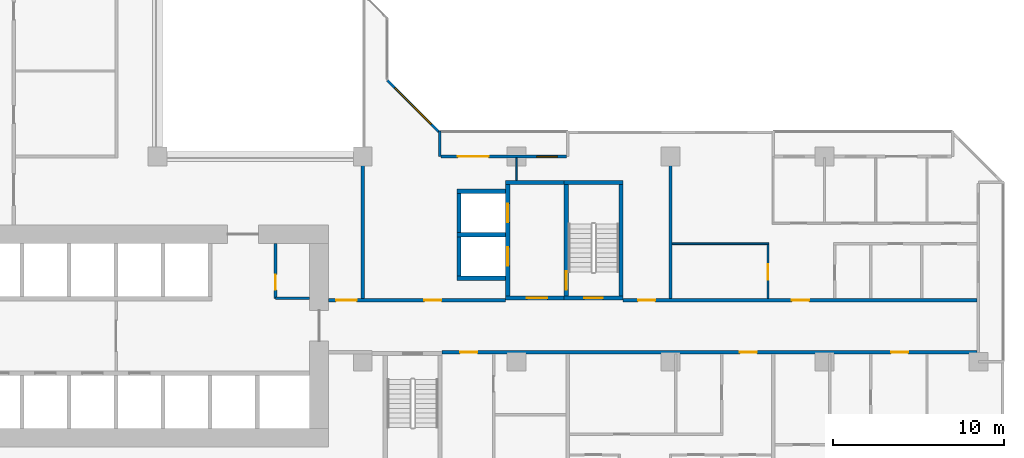
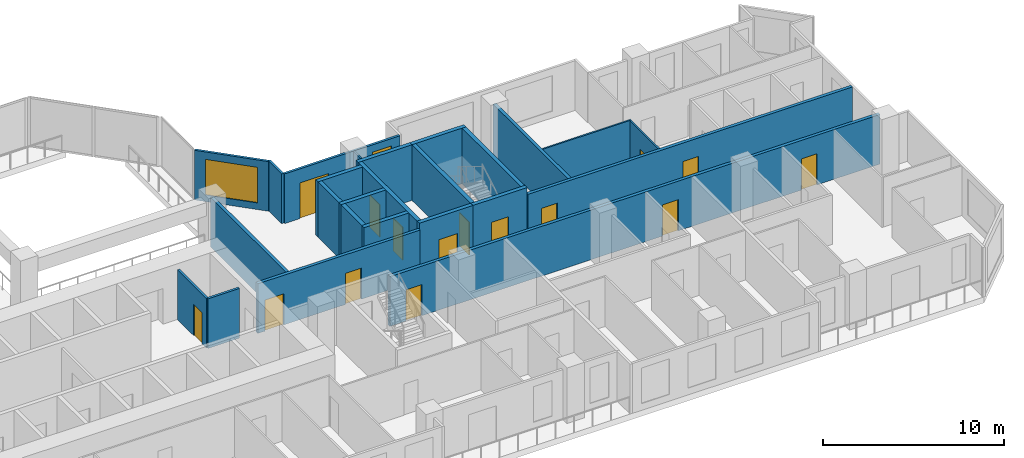
# One storey, part 7 of 15: 25 walls, 15 doors, 2 windows, 17 openings.
"""IFC4 building model written with IfcOpenShell, lengths in metres."""

from ifc_helpers import new_model, si_unit, direction, frame, frame_2d, origin, place, context, subcontext, project, spatial, rectangle, extrude, material, layer, layer_set, type_object, element, fill, save


model = new_model("IFC4")

# Units and contexts
model_context = context("Model", 3, precision=1e-05, world=origin(), true_north=direction((0.0, 1.0)))
body_context = subcontext(model_context, "Body", "Model", "MODEL_VIEW")
ifc_project = project(units=[si_unit("LENGTHUNIT", "METRE"), si_unit("AREAUNIT", "SQUARE_METRE"), si_unit("VOLUMEUNIT", "CUBIC_METRE"), si_unit("PLANEANGLEUNIT", "RADIAN"), si_unit("MASSUNIT", "GRAM", prefix="KILO")], contexts=[model_context])

# Site, building, storey
site_placement = place(None, origin())
site = spatial("IfcSite", under=ifc_project, at=site_placement, CompositionType="ELEMENT")
building_placement = place(site_placement, origin())
building = spatial("IfcBuilding", under=site, at=building_placement, Name="Chenar Terraces", CompositionType="ELEMENT")
storey_placement = place(building_placement, frame((0.0, 0.0, 45.14990234375)))
storey = spatial("IfcBuildingStorey", under=building, at=storey_placement, Name="L08", CompositionType="ELEMENT", Elevation=45.14990234375)

# Wall, opening, door
ifc_material_1 = material(Name="Gypsum board on steel studs", Category="steel")
ifc_layer_1 = layer(ifc_material_1, 0.14990234375)
ifc_layer_set_1 = layer_set([ifc_layer_1], Name="Gypsum board on steel studs")
wall_type_1 = type_object("IfcWallType", Name="Core partition 150 gypsum board", PredefinedType="PARTITIONING", material=ifc_layer_set_1)
wall_1_placement = place(storey_placement, frame((30.89990234375, 15.699951171875, 0.0), z_axis=(0.0, 0.0, 1.0), x_axis=(0.0, 1.0, 0.0)))
wall_1 = element("IfcWall", 1, at=wall_1_placement, inside=storey, type_object=wall_type_1, Name="Core partition CP1 vestibule room west wall", PredefinedType="PARTITIONING", context=body_context, shape_type="SweptSolid", body=[
    extrude(rectangle(XDim=3.199951171875, YDim=0.14990234375, at=frame_2d((1.60009765625, 0.0))), origin(), (0.0, 0.0, 1.0), 3.35009765625),
])
opening_1_placement = place(wall_1_placement, frame((0.5, 0.0, 0.0)))
opening_1 = element("IfcOpeningElement", 2, at=opening_1_placement, cuts=wall_1, Name="Opening DL08-C13", PredefinedType="OPENING", context=body_context, shape_type="SweptSolid", body=[
    extrude(rectangle(XDim=0.89990234375, YDim=2.10009765625, at=frame_2d((0.449951171875, 1.050048828125))), frame((0.0, 0.0849609375, 0.0), z_axis=(0.0, -1.0, 0.0), x_axis=(1.0, 0.0, 0.0)), (0.0, 0.0, 1.0), 0.169921875),
])
ifc_material_2 = material(Name="Steel-framed fire-resisting door leaf", Category="steel")
door_type_1 = type_object("IfcDoorType", Name="Riser fire door FD60 900 x 2100", OperationType="SINGLE_SWING_LEFT", PredefinedType="DOOR", material=ifc_material_2)
door_1_placement = place(opening_1_placement, frame((0.89990234375, 0.0, 0.0), z_axis=(0.0, 0.0, 1.0), x_axis=(-1.0, 0.0, 0.0)))
door_1 = element("IfcDoor", 3, at=door_1_placement, inside=storey, type_object=door_type_1, Name="Core room door DL08-C13", OperationType="SINGLE_SWING_RIGHT", OverallHeight=2.10009765625, OverallWidth=0.89990234375, PredefinedType="DOOR", context=body_context, shape_type="SweptSolid", body=[
    extrude(rectangle(XDim=0.89990234375, YDim=2.10009765625, at=frame_2d((0.449951171875, 1.050048828125))), frame((0.0, 0.02490234375, 0.0), z_axis=(0.0, -1.0, 0.0), x_axis=(1.0, 0.0, 0.0)), (0.0, 0.0, 1.0), 0.050048828125),
])
fill(opening_1, door_1)

# Wall
wall_2_placement = place(storey_placement, frame((30.89990234375, 15.699951171875, 0.0), z_axis=(0.0, 0.0, 1.0), x_axis=(1.0, 0.0, 0.0)))
element("IfcWall", 4, at=wall_2_placement, inside=storey, type_object=wall_type_1, Name="Core partition CP1 vestibule room south wall", PredefinedType="PARTITIONING", context=body_context, shape_type="SweptSolid", body=[
    extrude(rectangle(XDim=2.0, YDim=0.14990234375, at=frame_2d((1.0, 0.0))), origin(), (0.0, 0.0, 1.0), 3.35009765625),
])

# Wall, opening, door
ifc_material_3 = material(Name="Concrete C70/85", Category="concrete")
ifc_layer_2 = layer(ifc_material_3, 0.25)
ifc_layer_set_2 = layer_set([ifc_layer_2], Name="Concrete C70/85")
wall_type_2 = type_object("IfcWallType", Name="Core wall 250 Concrete C70/85", PredefinedType="SHEAR", material=ifc_layer_set_2)
wall_3_placement = place(storey_placement, frame((47.77490234375, 15.72509765625, 0.0), z_axis=(0.0, 0.0, 1.0), x_axis=(1.0, 0.0, 0.0)))
wall_3 = element("IfcWall", 5, at=wall_3_placement, inside=storey, type_object=wall_type_2, Name="Core wall ST3_S L08", PredefinedType="SHEAR", context=body_context, shape_type="SweptSolid", body=[
    extrude(rectangle(XDim=3.4501953125, YDim=0.25, at=frame_2d((1.72509765625, 0.0))), origin(), (0.0, 0.0, 1.0), 3.75),
])
opening_2_placement = place(wall_3_placement, frame((1.175048828125, 0.0, 0.0)))
opening_2 = element("IfcOpeningElement", 6, at=opening_2_placement, cuts=wall_3, Name="Opening DL08-C8", PredefinedType="OPENING", context=body_context, shape_type="SweptSolid", body=[
    extrude(rectangle(XDim=1.10009765625, YDim=2.199951171875, at=frame_2d((0.550048828125, 1.10009765625))), frame((0.0, 0.135009765625, 0.0), z_axis=(0.0, -1.0, 0.0), x_axis=(1.0, 0.0, 0.0)), (0.0, 0.0, 1.0), 0.27001953125),
])
ifc_material_4 = material(Name="Steel-framed fire-resisting door leaf", Category="steel")
door_type_2 = type_object("IfcDoorType", Name="Stair fire door FD60 1100 x 2200", OperationType="SINGLE_SWING_LEFT", PredefinedType="DOOR", material=ifc_material_4)
door_2_placement = place(opening_2_placement, frame((1.10009765625, 0.0, 0.0), z_axis=(0.0, 0.0, 1.0), x_axis=(-1.0, 0.0, 0.0)))
door_2 = element("IfcDoor", 7, at=door_2_placement, inside=storey, type_object=door_type_2, Name="Stair door DL08-C8", OperationType="SINGLE_SWING_LEFT", OverallHeight=2.199951171875, OverallWidth=1.10009765625, PredefinedType="DOOR", context=body_context, shape_type="SweptSolid", body=[
    extrude(rectangle(XDim=1.10009765625, YDim=2.199951171875, at=frame_2d((0.550048828125, 1.10009765625))), frame((0.0, 0.02490234375, 0.0), z_axis=(0.0, -1.0, 0.0), x_axis=(1.0, 0.0, 0.0)), (0.0, 0.0, 1.0), 0.050048828125),
])
fill(opening_2, door_2)

# Wall
wall_4_placement = place(storey_placement, frame((47.77490234375, 22.47509765625, 0.0), z_axis=(0.0, 0.0, 1.0), x_axis=(1.0, 0.0, 0.0)))
element("IfcWall", 8, at=wall_4_placement, inside=storey, type_object=wall_type_2, Name="Core wall ST3_N L08", PredefinedType="SHEAR", context=body_context, shape_type="SweptSolid", body=[
    extrude(rectangle(XDim=3.4501953125, YDim=0.25, at=frame_2d((1.72509765625, 0.0))), origin(), (0.0, 0.0, 1.0), 3.75),
])

# Wall, opening, door
wall_5_placement = place(storey_placement, frame((47.89990234375, 15.85009765625, 0.0), z_axis=(0.0, 0.0, 1.0), x_axis=(0.0, 1.0, 0.0)))
wall_5 = element("IfcWall", 9, at=wall_5_placement, inside=storey, type_object=wall_type_2, Name="Core wall ST3_W L08", PredefinedType="SHEAR", context=body_context, shape_type="SweptSolid", body=[
    extrude(rectangle(XDim=6.5, YDim=0.25, at=frame_2d((3.25, 0.0))), origin(), (0.0, 0.0, 1.0), 3.75),
])
opening_3_placement = place(wall_5_placement, frame((0.35009765625, 0.0, 0.0)))
opening_3 = element("IfcOpeningElement", 10, at=opening_3_placement, cuts=wall_5, Name="Opening DL08-C11", PredefinedType="OPENING", context=body_context, shape_type="SweptSolid", body=[
    extrude(rectangle(XDim=1.10009765625, YDim=2.199951171875, at=frame_2d((0.550048828125, 1.10009765625))), frame((0.0, 0.135009765625, 0.0), z_axis=(0.0, -1.0, 0.0), x_axis=(1.0, 0.0, 0.0)), (0.0, 0.0, 1.0), 0.27001953125),
])
door_3_placement = place(opening_3_placement, frame((1.10009765625, 0.0, 0.0), z_axis=(0.0, 0.0, 1.0), x_axis=(-1.0, 0.0, 0.0)))
door_3 = element("IfcDoor", 11, at=door_3_placement, inside=storey, type_object=door_type_2, Name="Stair door DL08-C11", OperationType="SINGLE_SWING_RIGHT", OverallHeight=2.199951171875, OverallWidth=1.10009765625, PredefinedType="DOOR", context=body_context, shape_type="SweptSolid", body=[
    extrude(rectangle(XDim=1.10009765625, YDim=2.199951171875, at=frame_2d((0.550048828125, 1.10009765625))), frame((0.0, 0.02490234375, 0.0), z_axis=(0.0, -1.0, 0.0), x_axis=(1.0, 0.0, 0.0)), (0.0, 0.0, 1.0), 0.050048828125),
])
fill(opening_3, door_3)

# Wall
wall_6_placement = place(storey_placement, frame((51.10009765625, 15.85009765625, 0.0), z_axis=(0.0, 0.0, 1.0), x_axis=(0.0, 1.0, 0.0)))
element("IfcWall", 12, at=wall_6_placement, inside=storey, type_object=wall_type_2, Name="Core wall ST3_E L08", PredefinedType="SHEAR", context=body_context, shape_type="SweptSolid", body=[
    extrude(rectangle(XDim=6.5, YDim=0.25, at=frame_2d((3.25, 0.0))), origin(), (0.0, 0.0, 1.0), 3.75),
])

# Wall, opening, door
wall_7_placement = place(storey_placement, frame((44.35009765625, 15.72509765625, 0.0), z_axis=(0.0, 0.0, 1.0), x_axis=(1.0, 0.0, 0.0)))
wall_7 = element("IfcWall", 13, at=wall_7_placement, inside=storey, type_object=wall_type_2, Name="Core wall F3_LS L08", PredefinedType="SHEAR", context=body_context, shape_type="SweptSolid", body=[
    extrude(rectangle(XDim=3.4248046875, YDim=0.25, at=frame_2d((1.71240234375, 0.0))), origin(), (0.0, 0.0, 1.0), 3.75),
])
opening_4_placement = place(wall_7_placement, frame((1.25, 0.0, 0.0)))
opening_4 = element("IfcOpeningElement", 14, at=opening_4_placement, cuts=wall_7, Name="Opening DL08-C10", PredefinedType="OPENING", context=body_context, shape_type="SweptSolid", body=[
    extrude(rectangle(XDim=1.199951171875, YDim=2.199951171875, at=frame_2d((0.60009765625, 1.10009765625))), frame((0.0, 0.135009765625, 0.0), z_axis=(0.0, -1.0, 0.0), x_axis=(1.0, 0.0, 0.0)), (0.0, 0.0, 1.0), 0.27001953125),
])
ifc_material_5 = material(Name="Steel-framed fire-resisting door leaf", Category="steel")
door_type_3 = type_object("IfcDoorType", Name="Lobby fire door FD60 1200 x 2200", OperationType="SINGLE_SWING_LEFT", PredefinedType="DOOR", material=ifc_material_5)
door_4_placement = place(opening_4_placement, origin())
door_4 = element("IfcDoor", 15, at=door_4_placement, inside=storey, type_object=door_type_3, Name="Core door DL08-C10", OperationType="SINGLE_SWING_RIGHT", OverallHeight=2.199951171875, OverallWidth=1.199951171875, PredefinedType="DOOR", context=body_context, shape_type="SweptSolid", body=[
    extrude(rectangle(XDim=1.199951171875, YDim=2.199951171875, at=frame_2d((0.60009765625, 1.10009765625))), frame((0.0, 0.02490234375, 0.0), z_axis=(0.0, -1.0, 0.0), x_axis=(1.0, 0.0, 0.0)), (0.0, 0.0, 1.0), 0.050048828125),
])
fill(opening_4, door_4)

# Wall
wall_8_placement = place(storey_placement, frame((44.35009765625, 22.47509765625, 0.0), z_axis=(0.0, 0.0, 1.0), x_axis=(1.0, 0.0, 0.0)))
element("IfcWall", 16, at=wall_8_placement, inside=storey, type_object=wall_type_2, Name="Core wall F3_LN L08", PredefinedType="SHEAR", context=body_context, shape_type="SweptSolid", body=[
    extrude(rectangle(XDim=3.4248046875, YDim=0.25, at=frame_2d((1.71240234375, 0.0))), origin(), (0.0, 0.0, 1.0), 3.75),
])

# Wall, openings, doors
wall_9_placement = place(storey_placement, frame((44.47509765625, 15.85009765625, 0.0), z_axis=(0.0, 0.0, 1.0), x_axis=(0.0, 1.0, 0.0)))
wall_9 = element("IfcWall", 17, at=wall_9_placement, inside=storey, type_object=wall_type_2, Name="Core wall F3_LW L08", PredefinedType="SHEAR", context=body_context, shape_type="SweptSolid", body=[
    extrude(rectangle(XDim=6.5, YDim=0.25, at=frame_2d((3.25, 0.0))), origin(), (0.0, 0.0, 1.0), 3.75),
])
opening_5_placement = place(wall_9_placement, frame((1.75, 0.0, 0.0)))
opening_5 = element("IfcOpeningElement", 18, at=opening_5_placement, cuts=wall_9, Name="Opening DL08-LD8", PredefinedType="OPENING", context=body_context, shape_type="SweptSolid", body=[
    extrude(rectangle(XDim=1.10009765625, YDim=2.199951171875, at=frame_2d((0.550048828125, 1.10009765625))), frame((0.0, 0.135009765625, 0.0), z_axis=(0.0, -1.0, 0.0), x_axis=(1.0, 0.0, 0.0)), (0.0, 0.0, 1.0), 0.27001953125),
])
opening_6_placement = place(wall_9_placement, frame((4.300048828125, 0.0, 0.0)))
opening_6 = element("IfcOpeningElement", 19, at=opening_6_placement, cuts=wall_9, Name="Opening DL08-LD9", PredefinedType="OPENING", context=body_context, shape_type="SweptSolid", body=[
    extrude(rectangle(XDim=1.10009765625, YDim=2.199951171875, at=frame_2d((0.550048828125, 1.10009765625))), frame((0.0, 0.135009765625, 0.0), z_axis=(0.0, -1.0, 0.0), x_axis=(1.0, 0.0, 0.0)), (0.0, 0.0, 1.0), 0.27001953125),
])
ifc_material_6 = material(Name="Stainless steel", Category="steel")
door_type_4 = type_object("IfcDoorType", Name="Lift landing door 1100 x 2200 sliding", OperationType="DOUBLE_DOOR_SLIDING", PredefinedType="DOOR", material=ifc_material_6)
door_5_placement = place(opening_5_placement, origin())
door_5 = element("IfcDoor", 20, at=door_5_placement, inside=storey, type_object=door_type_4, Name="Landing door F3", OperationType="DOUBLE_DOOR_SLIDING", OverallHeight=2.199951171875, OverallWidth=1.10009765625, PredefinedType="DOOR", context=body_context, shape_type="SweptSolid", body=[
    extrude(rectangle(XDim=1.10009765625, YDim=2.199951171875, at=frame_2d((0.550048828125, 1.10009765625))), frame((0.0, 0.02490234375, 0.0), z_axis=(0.0, -1.0, 0.0), x_axis=(1.0, 0.0, 0.0)), (0.0, 0.0, 1.0), 0.050048828125),
])
fill(opening_5, door_5)
door_6_placement = place(opening_6_placement, origin())
door_6 = element("IfcDoor", 21, at=door_6_placement, inside=storey, type_object=door_type_4, Name="Landing door F4", OperationType="DOUBLE_DOOR_SLIDING", OverallHeight=2.199951171875, OverallWidth=1.10009765625, PredefinedType="DOOR", context=body_context, shape_type="SweptSolid", body=[
    extrude(rectangle(XDim=1.10009765625, YDim=2.199951171875, at=frame_2d((0.550048828125, 1.10009765625))), frame((0.0, 0.02490234375, 0.0), z_axis=(0.0, -1.0, 0.0), x_axis=(1.0, 0.0, 0.0)), (0.0, 0.0, 1.0), 0.050048828125),
])
fill(opening_6, door_6)

# Walls
for number, where, z_axis, x_axis, name in (
    (22, (41.5, 16.875, 0.0), (0.0, 0.0, 1.0), (1.0, 0.0, 0.0), "Core wall F3_SS L08"),
    (23, (41.5, 19.425048828125, 0.0), (0.0, 0.0, 1.0), (1.0, 0.0, 0.0), "Core wall F3_SM L08"),
    (24, (41.5, 21.97509765625, 0.0), (0.0, 0.0, 1.0), (1.0, 0.0, 0.0), "Core wall F4_SN L08"),
):
    element("IfcWall", number, at=place(storey_placement, frame(where, z_axis=z_axis, x_axis=x_axis)), inside=storey, type_object=wall_type_2, Name=name, PredefinedType="SHEAR", context=body_context, shape_type="SweptSolid", body=[
        extrude(rectangle(XDim=2.85009765625, YDim=0.25, at=frame_2d((1.425048828125, 0.0))), origin(), (0.0, 0.0, 1.0), 3.75),
    ])
for number, where, z_axis, x_axis, name in (
    (25, (41.625, 17.0, 0.0), (0.0, 0.0, 1.0), (0.0, 1.0, 0.0), "Core wall F3_SW L08"),
    (26, (41.625, 19.550048828125, 0.0), (0.0, 0.0, 1.0), (0.0, 1.0, 0.0), "Core wall F4_SW L08"),
):
    element("IfcWall", number, at=place(storey_placement, frame(where, z_axis=z_axis, x_axis=x_axis)), inside=storey, type_object=wall_type_2, Name=name, PredefinedType="SHEAR", context=body_context, shape_type="SweptSolid", body=[
        extrude(rectangle(XDim=2.300048828125, YDim=0.25, at=frame_2d((1.14990234375, 0.0))), origin(), (0.0, 0.0, 1.0), 3.75),
    ])

# Wall, openings, doors
ifc_material_7 = material(Name="Gypsum board on steel studs with fire boards", Category="steel")
ifc_layer_3 = layer(ifc_material_7, 0.199951171875)
ifc_layer_set_3 = layer_set([ifc_layer_3], Name="Gypsum board on steel studs with fire boards")
wall_type_3 = type_object("IfcWallType", Name="Corridor wall 200", PredefinedType="PARTITIONING", material=ifc_layer_set_3)
wall_10_placement = place(storey_placement, frame((34.0, 15.60009765625, 0.0), z_axis=(0.0, 0.0, 1.0), x_axis=(1.0, 0.0, 0.0)))
wall_10 = element("IfcWall", 27, at=wall_10_placement, inside=storey, type_object=wall_type_3, Name="Partition L08-062", PredefinedType="PARTITIONING", context=body_context, shape_type="SweptSolid", body=[
    extrude(rectangle(XDim=10.35009765625, YDim=0.199951171875, at=frame_2d((5.175048828125, 0.0))), origin(), (0.0, 0.0, 1.0), 3.35009765625),
])
opening_7_placement = place(wall_10_placement, frame((5.60009765625, 0.0, 0.0)))
opening_7 = element("IfcOpeningElement", 28, at=opening_7_placement, cuts=wall_10, Name="Opening DL08-3", PredefinedType="OPENING", context=body_context, shape_type="SweptSolid", body=[
    extrude(rectangle(XDim=1.0, YDim=2.10009765625, at=frame_2d((0.5, 1.050048828125))), frame((0.0, 0.10986328125, 0.0), z_axis=(0.0, -1.0, 0.0), x_axis=(1.0, 0.0, 0.0)), (0.0, 0.0, 1.0), 0.219970703125),
])
opening_8_placement = place(wall_10_placement, frame((0.449951171875, 0.0, 0.0)))
opening_8 = element("IfcOpeningElement", 29, at=opening_8_placement, cuts=wall_10, Name="Opening DL08-47", PredefinedType="OPENING", context=body_context, shape_type="SweptSolid", body=[
    extrude(rectangle(XDim=1.199951171875, YDim=2.10009765625, at=frame_2d((0.60009765625, 1.050048828125))), frame((0.0, 0.10986328125, 0.0), z_axis=(0.0, -1.0, 0.0), x_axis=(1.0, 0.0, 0.0)), (0.0, 0.0, 1.0), 0.219970703125),
])
ifc_material_8 = material(Name="Steel-framed fire-resisting door leaf", Category="steel")
door_type_5 = type_object("IfcDoorType", Name="Fire door FD60 1000 x 2100", OperationType="SINGLE_SWING_LEFT", PredefinedType="DOOR", material=ifc_material_8)
door_7_placement = place(opening_7_placement, origin())
door_7 = element("IfcDoor", 30, at=door_7_placement, inside=storey, type_object=door_type_5, Name="Door DL08-3", OperationType="SINGLE_SWING_RIGHT", OverallHeight=2.10009765625, OverallWidth=1.0, PredefinedType="DOOR", context=body_context, shape_type="SweptSolid", body=[
    extrude(rectangle(XDim=1.0, YDim=2.10009765625, at=frame_2d((0.5, 1.050048828125))), frame((0.0, 0.02490234375, 0.0), z_axis=(0.0, -1.0, 0.0), x_axis=(1.0, 0.0, 0.0)), (0.0, 0.0, 1.0), 0.050048828125),
])
fill(opening_7, door_7)
ifc_material_9 = material(Name="Steel-framed fire-resisting door leaf", Category="steel")
door_type_6 = type_object("IfcDoorType", Name="Fire door FD60 1200 x 2100", OperationType="SINGLE_SWING_LEFT", PredefinedType="DOOR", material=ifc_material_9)
door_8_placement = place(opening_8_placement, origin())
door_8 = element("IfcDoor", 31, at=door_8_placement, inside=storey, type_object=door_type_6, Name="Door DL08-47", OperationType="SINGLE_SWING_RIGHT", OverallHeight=2.10009765625, OverallWidth=1.199951171875, PredefinedType="DOOR", context=body_context, shape_type="SweptSolid", body=[
    extrude(rectangle(XDim=1.199951171875, YDim=2.10009765625, at=frame_2d((0.60009765625, 1.050048828125))), frame((0.0, 0.02490234375, 0.0), z_axis=(0.0, -1.0, 0.0), x_axis=(1.0, 0.0, 0.0)), (0.0, 0.0, 1.0), 0.050048828125),
])
fill(opening_8, door_8)

# Wall
wall_11_placement = place(storey_placement, frame((36.0, 15.699951171875, 0.0), z_axis=(0.0, 0.0, 1.0), x_axis=(0.0, 1.0, 0.0)))
element("IfcWall", 32, at=wall_11_placement, inside=storey, type_object=wall_type_3, Name="Partition L08-063", PredefinedType="PARTITIONING", context=body_context, shape_type="SweptSolid", body=[
    extrude(rectangle(XDim=8.300048828125, YDim=0.199951171875, at=frame_2d((4.14990234375, 0.0))), origin(), (0.0, 0.0, 1.0), 3.35009765625),
])

# Wall, openings, doors
wall_12_placement = place(storey_placement, frame((40.64990234375, 12.550048828125, 0.0), z_axis=(0.0, 0.0, 1.0), x_axis=(1.0, 0.0, 0.0)))
wall_12 = element("IfcWall", 33, at=wall_12_placement, inside=storey, type_object=wall_type_3, Name="Partition L08-064", PredefinedType="PARTITIONING", context=body_context, shape_type="SweptSolid", body=[
    extrude(rectangle(XDim=31.276123046875, YDim=0.199951171875, at=frame_2d((15.63818359375, 0.0))), origin(), (0.0, 0.0, 1.0), 3.35009765625),
])
opening_9_placement = place(wall_12_placement, frame((17.39990234375, 0.0, 0.0)))
opening_9 = element("IfcOpeningElement", 34, at=opening_9_placement, cuts=wall_12, Name="Opening DL08-18", PredefinedType="OPENING", context=body_context, shape_type="SweptSolid", body=[
    extrude(rectangle(XDim=1.0, YDim=2.10009765625, at=frame_2d((0.5, 1.050048828125))), frame((0.0, 0.10986328125, 0.0), z_axis=(0.0, -1.0, 0.0), x_axis=(1.0, 0.0, 0.0)), (0.0, 0.0, 1.0), 0.219970703125),
])
opening_10_placement = place(wall_12_placement, frame((26.25, 0.0, 0.0)))
opening_10 = element("IfcOpeningElement", 35, at=opening_10_placement, cuts=wall_12, Name="Opening DL08-23", PredefinedType="OPENING", context=body_context, shape_type="SweptSolid", body=[
    extrude(rectangle(XDim=1.0, YDim=2.10009765625, at=frame_2d((0.5, 1.050048828125))), frame((0.0, 0.10986328125, 0.0), z_axis=(0.0, -1.0, 0.0), x_axis=(1.0, 0.0, 0.0)), (0.0, 0.0, 1.0), 0.219970703125),
])
opening_11_placement = place(wall_12_placement, frame((1.050048828125, 0.0, 0.0)))
opening_11 = element("IfcOpeningElement", 36, at=opening_11_placement, cuts=wall_12, Name="Opening DL08-61", PredefinedType="OPENING", context=body_context, shape_type="SweptSolid", body=[
    extrude(rectangle(XDim=1.0, YDim=2.10009765625, at=frame_2d((0.5, 1.050048828125))), frame((0.0, 0.10986328125, 0.0), z_axis=(0.0, -1.0, 0.0), x_axis=(1.0, 0.0, 0.0)), (0.0, 0.0, 1.0), 0.219970703125),
])
ifc_material_10 = material(Name="Steel-framed fire-resisting door leaf", Category="steel")
door_type_7 = type_object("IfcDoorType", Name="Fire door FD30S 1000 x 2100", OperationType="SINGLE_SWING_LEFT", PredefinedType="DOOR", material=ifc_material_10)
door_9_placement = place(opening_9_placement, frame((1.0, 0.0, 0.0), z_axis=(0.0, 0.0, 1.0), x_axis=(-1.0, 0.0, 0.0)))
door_9 = element("IfcDoor", 37, at=door_9_placement, inside=storey, type_object=door_type_7, Name="Door DL08-18", OperationType="SINGLE_SWING_LEFT", OverallHeight=2.10009765625, OverallWidth=1.0, PredefinedType="DOOR", context=body_context, shape_type="SweptSolid", body=[
    extrude(rectangle(XDim=1.0, YDim=2.10009765625, at=frame_2d((0.5, 1.050048828125))), frame((0.0, 0.02490234375, 0.0), z_axis=(0.0, -1.0, 0.0), x_axis=(1.0, 0.0, 0.0)), (0.0, 0.0, 1.0), 0.050048828125),
])
fill(opening_9, door_9)
door_10_placement = place(opening_10_placement, frame((1.0, 0.0, 0.0), z_axis=(0.0, 0.0, 1.0), x_axis=(-1.0, 0.0, 0.0)))
door_10 = element("IfcDoor", 38, at=door_10_placement, inside=storey, type_object=door_type_7, Name="Door DL08-23", OperationType="SINGLE_SWING_LEFT", OverallHeight=2.10009765625, OverallWidth=1.0, PredefinedType="DOOR", context=body_context, shape_type="SweptSolid", body=[
    extrude(rectangle(XDim=1.0, YDim=2.10009765625, at=frame_2d((0.5, 1.050048828125))), frame((0.0, 0.02490234375, 0.0), z_axis=(0.0, -1.0, 0.0), x_axis=(1.0, 0.0, 0.0)), (0.0, 0.0, 1.0), 0.050048828125),
])
fill(opening_10, door_10)
door_11_placement = place(opening_11_placement, origin())
door_11 = element("IfcDoor", 39, at=door_11_placement, inside=storey, type_object=door_type_7, Name="Door DL08-61", OperationType="SINGLE_SWING_RIGHT", OverallHeight=2.10009765625, OverallWidth=1.0, PredefinedType="DOOR", context=body_context, shape_type="SweptSolid", body=[
    extrude(rectangle(XDim=1.0, YDim=2.10009765625, at=frame_2d((0.5, 1.050048828125))), frame((0.0, 0.02490234375, 0.0), z_axis=(0.0, -1.0, 0.0), x_axis=(1.0, 0.0, 0.0)), (0.0, 0.0, 1.0), 0.050048828125),
])
fill(opening_11, door_11)

wall_13_placement = place(storey_placement, frame((51.22509765625, 15.60009765625, 0.0), z_axis=(0.0, 0.0, 1.0), x_axis=(1.0, 0.0, 0.0)))
wall_13 = element("IfcWall", 40, at=wall_13_placement, inside=storey, type_object=wall_type_3, Name="Partition L08-075", PredefinedType="PARTITIONING", context=body_context, shape_type="SweptSolid", body=[
    extrude(rectangle(XDim=20.700927734375, YDim=0.199951171875, at=frame_2d((10.3505859375, 0.0))), origin(), (0.0, 0.0, 1.0), 3.35009765625),
])
opening_12_placement = place(wall_13_placement, frame((9.875, 0.0, 0.0)))
opening_12 = element("IfcOpeningElement", 41, at=opening_12_placement, cuts=wall_13, Name="Opening DL08-11", PredefinedType="OPENING", context=body_context, shape_type="SweptSolid", body=[
    extrude(rectangle(XDim=1.0, YDim=2.10009765625, at=frame_2d((0.5, 1.050048828125))), frame((0.0, 0.10986328125, 0.0), z_axis=(0.0, -1.0, 0.0), x_axis=(1.0, 0.0, 0.0)), (0.0, 0.0, 1.0), 0.219970703125),
])
opening_13_placement = place(wall_13_placement, frame((0.875, 0.0, 0.0)))
opening_13 = element("IfcOpeningElement", 42, at=opening_13_placement, cuts=wall_13, Name="Opening DL08-50", PredefinedType="OPENING", context=body_context, shape_type="SweptSolid", body=[
    extrude(rectangle(XDim=1.0, YDim=2.10009765625, at=frame_2d((0.5, 1.050048828125))), frame((0.0, 0.10986328125, 0.0), z_axis=(0.0, -1.0, 0.0), x_axis=(1.0, 0.0, 0.0)), (0.0, 0.0, 1.0), 0.219970703125),
])
door_12_placement = place(opening_12_placement, origin())
door_12 = element("IfcDoor", 43, at=door_12_placement, inside=storey, type_object=door_type_7, Name="Door DL08-11", OperationType="SINGLE_SWING_LEFT", OverallHeight=2.10009765625, OverallWidth=1.0, PredefinedType="DOOR", context=body_context, shape_type="SweptSolid", body=[
    extrude(rectangle(XDim=1.0, YDim=2.10009765625, at=frame_2d((0.5, 1.050048828125))), frame((0.0, 0.02490234375, 0.0), z_axis=(0.0, -1.0, 0.0), x_axis=(1.0, 0.0, 0.0)), (0.0, 0.0, 1.0), 0.050048828125),
])
fill(opening_12, door_12)
door_13_placement = place(opening_13_placement, origin())
door_13 = element("IfcDoor", 44, at=door_13_placement, inside=storey, type_object=door_type_7, Name="Door DL08-50", OperationType="SINGLE_SWING_RIGHT", OverallHeight=2.10009765625, OverallWidth=1.0, PredefinedType="DOOR", context=body_context, shape_type="SweptSolid", body=[
    extrude(rectangle(XDim=1.0, YDim=2.10009765625, at=frame_2d((0.5, 1.050048828125))), frame((0.0, 0.02490234375, 0.0), z_axis=(0.0, -1.0, 0.0), x_axis=(1.0, 0.0, 0.0)), (0.0, 0.0, 1.0), 0.050048828125),
])
fill(opening_13, door_13)

# Wall, openings, window, door
ifc_material_11 = material(Name="Aluminium framed glazing", Category="aluminium")
ifc_layer_4 = layer(ifc_material_11, 0.14990234375)
ifc_layer_set_4 = layer_set([ifc_layer_4], Name="Aluminium framed glazing")
wall_type_4 = type_object("IfcWallType", Name="Glazed loggia back wall 150", PredefinedType="SOLIDWALL", material=ifc_layer_set_4)
wall_14_placement = place(storey_placement, frame((47.925048828125, 24.0, 0.0), z_axis=(0.0, 0.0, 1.0), x_axis=(-1.0, 0.0, 0.0)))
wall_14 = element("IfcWall", 45, at=wall_14_placement, inside=storey, type_object=wall_type_4, Name="Glazed loggia back wall", PredefinedType="SOLIDWALL", context=body_context, shape_type="SweptSolid", body=[
    extrude(rectangle(XDim=7.35009765625, YDim=0.14990234375, at=frame_2d((3.675048828125, 0.0))), origin(), (0.0, 0.0, 1.0), 3.35009765625),
])
opening_14_placement = place(wall_14_placement, frame((0.53759765625, 0.0, 0.449951171875)))
opening_14 = element("IfcOpeningElement", 46, at=opening_14_placement, cuts=wall_14, Name="Opening W120x240", PredefinedType="OPENING", context=body_context, shape_type="SweptSolid", body=[
    extrude(rectangle(XDim=1.199951171875, YDim=2.39990234375, at=frame_2d((0.60009765625, 1.199951171875))), frame((0.0, 0.0849609375, 0.0), z_axis=(0.0, -1.0, 0.0), x_axis=(1.0, 0.0, 0.0)), (0.0, 0.0, 1.0), 0.169921875),
])
opening_15_placement = place(wall_14_placement, frame((4.5625, 0.0, 0.0)))
opening_15 = element("IfcOpeningElement", 47, at=opening_15_placement, cuts=wall_14, Name="Opening DL08-G2", PredefinedType="OPENING", context=body_context, shape_type="SweptSolid", body=[
    extrude(rectangle(XDim=1.800048828125, YDim=2.39990234375, at=frame_2d((0.89990234375, 1.199951171875))), frame((0.0, 0.0849609375, 0.0), z_axis=(0.0, -1.0, 0.0), x_axis=(1.0, 0.0, 0.0)), (0.0, 0.0, 1.0), 0.169921875),
])
ifc_material_12 = material(Name="Low emissivity double glazing, aluminium frame", Category="aluminium")
window_type_1 = type_object("IfcWindowType", Name="Fixed light 1200 x 2400", PartitioningType="SINGLE_PANEL", PredefinedType="WINDOW", material=ifc_material_12)
window_1_placement = place(opening_14_placement, origin())
window_1 = element("IfcWindow", 48, at=window_1_placement, inside=storey, type_object=window_type_1, Name="Window", OverallHeight=2.39990234375, OverallWidth=1.199951171875, PartitioningType="SINGLE_PANEL", PredefinedType="WINDOW", context=body_context, shape_type="SweptSolid", body=[
    extrude(rectangle(XDim=1.199951171875, YDim=2.39990234375, at=frame_2d((0.60009765625, 1.199951171875))), frame((0.0, 0.030029296875, 0.0), z_axis=(0.0, -1.0, 0.0), x_axis=(1.0, 0.0, 0.0)), (0.0, 0.0, 1.0), 0.06005859375),
])
fill(opening_14, window_1)
ifc_material_13 = material(Name="Low emissivity double glazing, aluminium frame", Category="aluminium")
door_type_8 = type_object("IfcDoorType", Name="Loggia glazed double door 1800 x 2400", OperationType="DOUBLE_DOOR_SINGLE_SWING", PredefinedType="DOOR", material=ifc_material_13)
door_14_placement = place(opening_15_placement, frame((1.800048828125, 0.0, 0.0), z_axis=(0.0, 0.0, 1.0), x_axis=(-1.0, 0.0, 0.0)))
door_14 = element("IfcDoor", 49, at=door_14_placement, inside=storey, type_object=door_type_8, Name="Loggia glazed door", OperationType="DOUBLE_DOOR_SINGLE_SWING", OverallHeight=2.39990234375, OverallWidth=1.800048828125, PredefinedType="DOOR", context=body_context, shape_type="SweptSolid", body=[
    extrude(rectangle(XDim=1.800048828125, YDim=2.39990234375, at=frame_2d((0.89990234375, 1.199951171875))), frame((0.0, 0.02490234375, 0.0), z_axis=(0.0, -1.0, 0.0), x_axis=(1.0, 0.0, 0.0)), (0.0, 0.0, 1.0), 0.050048828125),
])
fill(opening_15, door_14)

# Walls
ifc_material_14 = material(Name="Gypsum board on steel studs", Category="steel")
ifc_layer_5 = layer(ifc_material_14, 0.10009765625)
ifc_layer_set_5 = layer_set([ifc_layer_5], Name="Gypsum board on steel studs")
wall_type_5 = type_object("IfcWallType", Name="Gypsum partition 100", PredefinedType="PARTITIONING", material=ifc_layer_set_5)
wall_15_placement = place(storey_placement, frame((45.0, 22.60009765625, 0.0), z_axis=(0.0, 0.0, 1.0), x_axis=(0.0, 1.0, 0.0)))
element("IfcWall", 50, at=wall_15_placement, inside=storey, type_object=wall_type_5, Name="Partition L08-070", PredefinedType="PARTITIONING", context=body_context, shape_type="SweptSolid", body=[
    extrude(rectangle(XDim=1.325927734375, YDim=0.10009765625, at=frame_2d((0.6630859375, 0.0))), origin(), (0.0, 0.0, 1.0), 3.35009765625),
])
wall_16_placement = place(storey_placement, frame((54.10009765625, 18.89990234375, 0.0), z_axis=(0.0, 0.0, 1.0), x_axis=(1.0, 0.0, 0.0)))
element("IfcWall", 51, at=wall_16_placement, inside=storey, type_object=wall_type_5, Name="Partition L08-079", PredefinedType="PARTITIONING", context=body_context, shape_type="SweptSolid", body=[
    extrude(rectangle(XDim=5.64990234375, YDim=0.10009765625, at=frame_2d((2.824951171875, 0.0))), origin(), (0.0, 0.0, 1.0), 3.35009765625),
])

# Wall, opening, door
wall_17_placement = place(storey_placement, frame((59.699951171875, 15.699951171875, 0.0), z_axis=(0.0, 0.0, 1.0), x_axis=(0.0, 1.0, 0.0)))
wall_17 = element("IfcWall", 52, at=wall_17_placement, inside=storey, type_object=wall_type_5, Name="Partition L08-083", PredefinedType="PARTITIONING", context=body_context, shape_type="SweptSolid", body=[
    extrude(rectangle(XDim=3.150146484375, YDim=0.10009765625, at=frame_2d((1.5751953125, 0.0))), origin(), (0.0, 0.0, 1.0), 3.35009765625),
])
opening_16_placement = place(wall_17_placement, frame((1.10009765625, 0.0, 0.0)))
opening_16 = element("IfcOpeningElement", 53, at=opening_16_placement, cuts=wall_17, Name="Opening DL08-9", PredefinedType="OPENING", context=body_context, shape_type="SweptSolid", body=[
    extrude(rectangle(XDim=0.89990234375, YDim=2.10009765625, at=frame_2d((0.449951171875, 1.050048828125))), frame((0.0, 0.06005859375, 0.0), z_axis=(0.0, -1.0, 0.0), x_axis=(1.0, 0.0, 0.0)), (0.0, 0.0, 1.0), 0.1201171875),
])
ifc_material_15 = material(Name="Veneered timber door leaf", Category="wood")
door_type_9 = type_object("IfcDoorType", Name="Door 900 x 2100", OperationType="SINGLE_SWING_LEFT", PredefinedType="DOOR", material=ifc_material_15)
door_15_placement = place(opening_16_placement, origin())
door_15 = element("IfcDoor", 54, at=door_15_placement, inside=storey, type_object=door_type_9, Name="Door DL08-9", OperationType="SINGLE_SWING_LEFT", OverallHeight=2.10009765625, OverallWidth=0.89990234375, PredefinedType="DOOR", context=body_context, shape_type="SweptSolid", body=[
    extrude(rectangle(XDim=0.89990234375, YDim=2.10009765625, at=frame_2d((0.449951171875, 1.050048828125))), frame((0.0, 0.02490234375, 0.0), z_axis=(0.0, -1.0, 0.0), x_axis=(1.0, 0.0, 0.0)), (0.0, 0.0, 1.0), 0.050048828125),
])
fill(opening_16, door_15)

# Wall
ifc_material_16 = material(Name="Terracotta cladding on insulated backing", Category="masonry")
ifc_layer_6 = layer(ifc_material_16, 0.14990234375)
ifc_layer_set_6 = layer_set([ifc_layer_6], Name="Terracotta cladding on insulated backing")
wall_type_6 = type_object("IfcWallType", Name="Loggia return wall 150", PredefinedType="SOLIDWALL", material=ifc_layer_set_6)
wall_18_placement = place(storey_placement, frame((40.5, 25.5, 0.0), z_axis=(0.0, 0.0, 1.0), x_axis=(0.0, -1.0, 0.0)))
element("IfcWall", 55, at=wall_18_placement, inside=storey, type_object=wall_type_6, Name="Loggia return wall", PredefinedType="SOLIDWALL", context=body_context, shape_type="SweptSolid", body=[
    extrude(rectangle(XDim=1.5, YDim=0.14990234375, at=frame_2d((0.75, 0.0))), origin(), (0.0, 0.0, 1.0), 3.35009765625),
])

# Wall, opening, window
ifc_material_17 = material(Name="Terracotta cladding on insulated backing", Category="masonry")
ifc_layer_7 = layer(ifc_material_17, 0.14990234375)
ifc_layer_set_7 = layer_set([ifc_layer_7], Name="Terracotta cladding on insulated backing")
wall_type_7 = type_object("IfcWallType", Name="Terracotta rainscreen wall 150", PredefinedType="SOLIDWALL", material=ifc_layer_set_7)
wall_19_placement = place(storey_placement, frame((40.447021484375, 25.447021484375, 0.0), z_axis=(0.0, 0.0, 1.0), x_axis=(-0.707106781187, 0.707106781187, 0.0)))
wall_19 = element("IfcWall", 56, at=wall_19_placement, inside=storey, type_object=wall_type_7, Name="Terracotta rainscreen wall", PredefinedType="SOLIDWALL", context=body_context, shape_type="SweptSolid", body=[
    extrude(rectangle(XDim=4.24267578125, YDim=0.14990234375, at=frame_2d((2.121337890625, 0.0))), origin(), (0.0, 0.0, 1.0), 3.35009765625),
])
opening_17_placement = place(wall_19_placement, frame((0.621337890625, 0.0, 0.449951171875)))
opening_17 = element("IfcOpeningElement", 57, at=opening_17_placement, cuts=wall_19, Name="Opening W300x240", PredefinedType="OPENING", context=body_context, shape_type="SweptSolid", body=[
    extrude(rectangle(XDim=3.0, YDim=2.39990234375, at=frame_2d((1.5, 1.199951171875))), frame((0.0, 0.0849609375, 0.0), z_axis=(0.0, -1.0, 0.0), x_axis=(1.0, 0.0, 0.0)), (0.0, 0.0, 1.0), 0.169921875),
])
ifc_material_18 = material(Name="Low emissivity double glazing, aluminium frame", Category="aluminium")
window_type_2 = type_object("IfcWindowType", Name="Fixed light 3000 x 2400", PartitioningType="SINGLE_PANEL", PredefinedType="WINDOW", material=ifc_material_18)
window_2_placement = place(opening_17_placement, origin())
window_2 = element("IfcWindow", 58, at=window_2_placement, inside=storey, type_object=window_type_2, Name="Window", OverallHeight=2.39990234375, OverallWidth=3.0, PartitioningType="SINGLE_PANEL", PredefinedType="WINDOW", context=body_context, shape_type="SweptSolid", body=[
    extrude(rectangle(XDim=3.0, YDim=2.39990234375, at=frame_2d((1.5, 1.199951171875))), frame((0.0, 0.030029296875, 0.0), z_axis=(0.0, -1.0, 0.0), x_axis=(1.0, 0.0, 0.0)), (0.0, 0.0, 1.0), 0.06005859375),
])
fill(opening_17, window_2)

# Wall
ifc_material_19 = material(Name="Twin gypsum board on steel studs with mineral wool", Category="steel")
ifc_layer_8 = layer(ifc_material_19, 0.199951171875)
ifc_layer_set_8 = layer_set([ifc_layer_8], Name="Twin gypsum board on steel studs with mineral wool")
wall_type_8 = type_object("IfcWallType", Name="Unit demising wall 200", PredefinedType="PARTITIONING", material=ifc_layer_set_8)
wall_20_placement = place(storey_placement, frame((54.0, 15.699951171875, 0.0), z_axis=(0.0, 0.0, 1.0), x_axis=(0.0, 1.0, 0.0)))
element("IfcWall", 59, at=wall_20_placement, inside=storey, type_object=wall_type_8, Name="Partition L08-077", PredefinedType="PARTITIONING", context=body_context, shape_type="SweptSolid", body=[
    extrude(rectangle(XDim=8.300048828125, YDim=0.199951171875, at=frame_2d((4.14990234375, 0.0))), origin(), (0.0, 0.0, 1.0), 3.35009765625),
])

save(model, "model.ifc")
